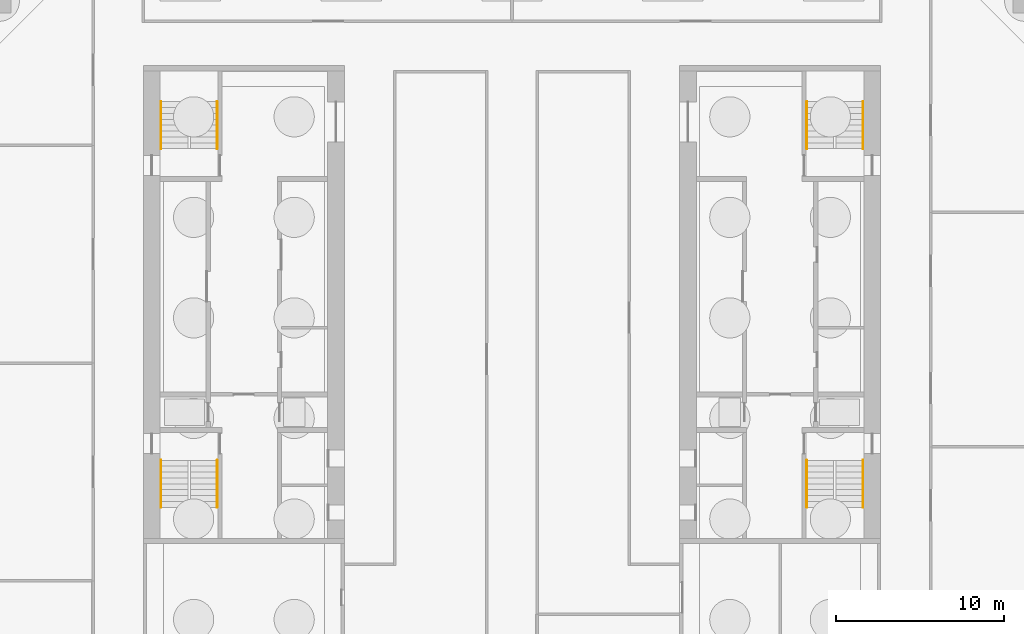
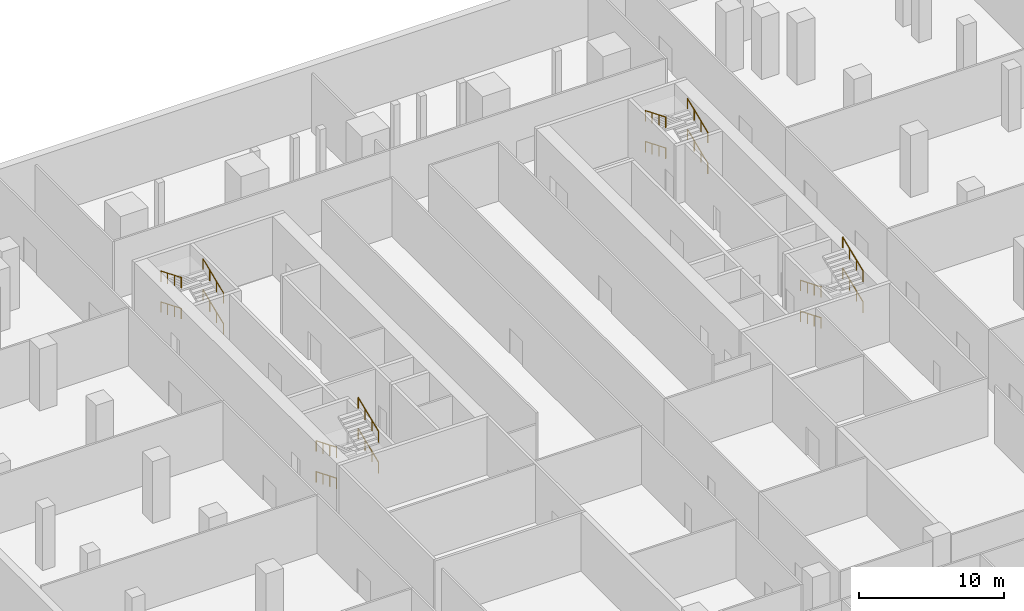
# One storey, part 13 of 14: 16 railings.
"""IFC4 building model written with IfcOpenShell, lengths in metres."""

from ifc_helpers import new_model, si_unit, direction, frame, origin, origin_2d, place, context, subcontext, project, spatial, circle, extrude, material, type_object, element, save


model = new_model("IFC4")

# Units and contexts
model_context = context("Model", 3, precision=1e-05, world=origin(), true_north=direction((0.0, 1.0)))
body_context = subcontext(model_context, "Body", "Model", "MODEL_VIEW")
ifc_project = project(units=[si_unit("LENGTHUNIT", "METRE"), si_unit("AREAUNIT", "SQUARE_METRE"), si_unit("VOLUMEUNIT", "CUBIC_METRE"), si_unit("PLANEANGLEUNIT", "RADIAN"), si_unit("MASSUNIT", "GRAM", prefix="KILO")], contexts=[model_context])

# Site, building, storey
site_placement = place(None, origin())
site = spatial("IfcSite", under=ifc_project, at=site_placement, CompositionType="ELEMENT")
building_placement = place(site_placement, origin())
building = spatial("IfcBuilding", under=site, at=building_placement, Name="Ogive Exchange Tower", CompositionType="ELEMENT")
storey_placement = place(building_placement, frame((0.0, 0.0, -10.39990234375)))
storey = spatial("IfcBuildingStorey", under=building, at=storey_placement, Name="B2", CompositionType="ELEMENT", Elevation=-10.39990234375)

# Railings
ifc_material = material(Name="Stainless steel", Category="steel")
railing_type = type_object("IfcRailingType", Name="Stair handrail 900", PredefinedType="HANDRAIL", material=ifc_material)
railing_1_placement = place(storey_placement, frame((-20.949951171875, 2.199951171875, 0.144287109375)))
element("IfcRailing", 1, at=railing_1_placement, inside=storey, type_object=railing_type, Name="B2 ST1 stair handrail 1", PredefinedType="HANDRAIL", context=body_context, shape_type="SweptSolid", body=[
    extrude(circle(Radius=0.02392578125, at=origin_2d()), frame((0.0, 0.0, 0.8759765625), z_axis=(0.0, -0.924754679997, 0.380563768405), x_axis=(1.0, 0.0, 0.0)), (0.0, 0.0, 1.0), 3.036376953125),
    extrude(circle(Radius=0.02099609375, at=origin_2d()), origin(), (0.0, 0.0, 1.0), 0.851806640625),
    extrude(circle(Radius=0.02099609375, at=origin_2d()), frame((0.0, -0.93603515625, 0.38525390625)), (0.0, 0.0, 1.0), 0.851806640625),
    extrude(circle(Radius=0.02099609375, at=origin_2d()), frame((0.0, -1.871826171875, 0.770263671875)), (0.0, 0.0, 1.0), 0.851806640625),
    extrude(circle(Radius=0.02099609375, at=origin_2d()), frame((0.0, -2.807861328125, 1.155517578125)), (0.0, 0.0, 1.0), 0.851806640625),
])
railing_2_placement = place(storey_placement, frame((-17.60009765625, -0.60791015625, 1.4443359375)))
element("IfcRailing", 2, at=railing_2_placement, inside=storey, type_object=railing_type, Name="B2 ST1 stair handrail 2", PredefinedType="HANDRAIL", context=body_context, shape_type="SweptSolid", body=[
    extrude(circle(Radius=0.02392578125, at=origin_2d()), frame((0.0, 0.0, 0.8759765625), z_axis=(0.0, 0.924754679997, 0.380563768405), x_axis=(-1.0, 0.0, 0.0)), (0.0, 0.0, 1.0), 3.036376953125),
    extrude(circle(Radius=0.02099609375, at=origin_2d()), origin(), (0.0, 0.0, 1.0), 0.851806640625),
    extrude(circle(Radius=0.02099609375, at=origin_2d()), frame((0.0, 0.93603515625, 0.38525390625)), (0.0, 0.0, 1.0), 0.851806640625),
    extrude(circle(Radius=0.02099609375, at=origin_2d()), frame((0.0, 1.871826171875, 0.770263671875)), (0.0, 0.0, 1.0), 0.851806640625),
    extrude(circle(Radius=0.02099609375, at=origin_2d()), frame((0.0, 2.807861328125, 1.155517578125)), (0.0, 0.0, 1.0), 0.851806640625),
])
railing_3_placement = place(storey_placement, frame((-20.949951171875, 2.199951171875, 2.744384765625)))
element("IfcRailing", 3, at=railing_3_placement, inside=storey, type_object=railing_type, Name="B2 ST1 stair handrail 3", PredefinedType="HANDRAIL", context=body_context, shape_type="SweptSolid", body=[
    extrude(circle(Radius=0.02392578125, at=origin_2d()), frame((0.0, 0.0, 0.8759765625), z_axis=(0.0, -0.924754679997, 0.380563768405), x_axis=(1.0, 0.0, 0.0)), (0.0, 0.0, 1.0), 3.036376953125),
    extrude(circle(Radius=0.02099609375, at=origin_2d()), origin(), (0.0, 0.0, 1.0), 0.851806640625),
    extrude(circle(Radius=0.02099609375, at=origin_2d()), frame((0.0, -0.93603515625, 0.38525390625)), (0.0, 0.0, 1.0), 0.851806640625),
    extrude(circle(Radius=0.02099609375, at=origin_2d()), frame((0.0, -1.871826171875, 0.770263671875)), (0.0, 0.0, 1.0), 0.851806640625),
    extrude(circle(Radius=0.02099609375, at=origin_2d()), frame((0.0, -2.807861328125, 1.155517578125)), (0.0, 0.0, 1.0), 0.851806640625),
])
for number, where, name in (
    (4, (-17.60009765625, -0.60791015625, 4.04443359375), "B2 ST1 stair handrail 4"),
    (5, (-17.60009765625, 20.800048828125, 0.144287109375), "B2 ST2 stair handrail 1"),
):
    element("IfcRailing", number, at=place(storey_placement, frame(where)), inside=storey, type_object=railing_type, Name=name, PredefinedType="HANDRAIL", context=body_context, shape_type="SweptSolid", body=[
        extrude(circle(Radius=0.02392578125, at=origin_2d()), frame((0.0, 0.0, 0.8759765625), z_axis=(0.0, 0.924754679997, 0.380563768405), x_axis=(-1.0, 0.0, 0.0)), (0.0, 0.0, 1.0), 3.036376953125),
        extrude(circle(Radius=0.02099609375, at=origin_2d()), origin(), (0.0, 0.0, 1.0), 0.851806640625),
        extrude(circle(Radius=0.02099609375, at=origin_2d()), frame((0.0, 0.93603515625, 0.38525390625)), (0.0, 0.0, 1.0), 0.851806640625),
        extrude(circle(Radius=0.02099609375, at=origin_2d()), frame((0.0, 1.871826171875, 0.770263671875)), (0.0, 0.0, 1.0), 0.851806640625),
        extrude(circle(Radius=0.02099609375, at=origin_2d()), frame((0.0, 2.807861328125, 1.155517578125)), (0.0, 0.0, 1.0), 0.851806640625),
    ])
railing_4_placement = place(storey_placement, frame((-20.949951171875, 23.60791015625, 1.4443359375)))
element("IfcRailing", 6, at=railing_4_placement, inside=storey, type_object=railing_type, Name="B2 ST2 stair handrail 2", PredefinedType="HANDRAIL", context=body_context, shape_type="SweptSolid", body=[
    extrude(circle(Radius=0.02392578125, at=origin_2d()), frame((0.0, 0.0, 0.8759765625), z_axis=(0.0, -0.924754679997, 0.380563768405), x_axis=(1.0, 0.0, 0.0)), (0.0, 0.0, 1.0), 3.036376953125),
    extrude(circle(Radius=0.02099609375, at=origin_2d()), origin(), (0.0, 0.0, 1.0), 0.851806640625),
    extrude(circle(Radius=0.02099609375, at=origin_2d()), frame((0.0, -0.93603515625, 0.38525390625)), (0.0, 0.0, 1.0), 0.851806640625),
    extrude(circle(Radius=0.02099609375, at=origin_2d()), frame((0.0, -1.871826171875, 0.770263671875)), (0.0, 0.0, 1.0), 0.851806640625),
    extrude(circle(Radius=0.02099609375, at=origin_2d()), frame((0.0, -2.807861328125, 1.155517578125)), (0.0, 0.0, 1.0), 0.851806640625),
])
railing_5_placement = place(storey_placement, frame((-17.60009765625, 20.800048828125, 2.744384765625)))
element("IfcRailing", 7, at=railing_5_placement, inside=storey, type_object=railing_type, Name="B2 ST2 stair handrail 3", PredefinedType="HANDRAIL", context=body_context, shape_type="SweptSolid", body=[
    extrude(circle(Radius=0.02392578125, at=origin_2d()), frame((0.0, 0.0, 0.8759765625), z_axis=(0.0, 0.924754679997, 0.380563768405), x_axis=(-1.0, 0.0, 0.0)), (0.0, 0.0, 1.0), 3.036376953125),
    extrude(circle(Radius=0.02099609375, at=origin_2d()), origin(), (0.0, 0.0, 1.0), 0.851806640625),
    extrude(circle(Radius=0.02099609375, at=origin_2d()), frame((0.0, 0.93603515625, 0.38525390625)), (0.0, 0.0, 1.0), 0.851806640625),
    extrude(circle(Radius=0.02099609375, at=origin_2d()), frame((0.0, 1.871826171875, 0.770263671875)), (0.0, 0.0, 1.0), 0.851806640625),
    extrude(circle(Radius=0.02099609375, at=origin_2d()), frame((0.0, 2.807861328125, 1.155517578125)), (0.0, 0.0, 1.0), 0.851806640625),
])
for number, where, name in (
    (8, (-20.949951171875, 23.60791015625, 4.04443359375), "B2 ST2 stair handrail 4"),
    (9, (17.60009765625, 2.199951171875, 0.144287109375), "B2 ST3 stair handrail 1"),
):
    element("IfcRailing", number, at=place(storey_placement, frame(where)), inside=storey, type_object=railing_type, Name=name, PredefinedType="HANDRAIL", context=body_context, shape_type="SweptSolid", body=[
        extrude(circle(Radius=0.02392578125, at=origin_2d()), frame((0.0, 0.0, 0.8759765625), z_axis=(0.0, -0.924754679997, 0.380563768405), x_axis=(1.0, 0.0, 0.0)), (0.0, 0.0, 1.0), 3.036376953125),
        extrude(circle(Radius=0.02099609375, at=origin_2d()), origin(), (0.0, 0.0, 1.0), 0.851806640625),
        extrude(circle(Radius=0.02099609375, at=origin_2d()), frame((0.0, -0.93603515625, 0.38525390625)), (0.0, 0.0, 1.0), 0.851806640625),
        extrude(circle(Radius=0.02099609375, at=origin_2d()), frame((0.0, -1.871826171875, 0.770263671875)), (0.0, 0.0, 1.0), 0.851806640625),
        extrude(circle(Radius=0.02099609375, at=origin_2d()), frame((0.0, -2.807861328125, 1.155517578125)), (0.0, 0.0, 1.0), 0.851806640625),
    ])
railing_6_placement = place(storey_placement, frame((20.949951171875, -0.60791015625, 1.4443359375)))
element("IfcRailing", 10, at=railing_6_placement, inside=storey, type_object=railing_type, Name="B2 ST3 stair handrail 2", PredefinedType="HANDRAIL", context=body_context, shape_type="SweptSolid", body=[
    extrude(circle(Radius=0.02392578125, at=origin_2d()), frame((0.0, 0.0, 0.8759765625), z_axis=(0.0, 0.924754679997, 0.380563768405), x_axis=(-1.0, 0.0, 0.0)), (0.0, 0.0, 1.0), 3.036376953125),
    extrude(circle(Radius=0.02099609375, at=origin_2d()), origin(), (0.0, 0.0, 1.0), 0.851806640625),
    extrude(circle(Radius=0.02099609375, at=origin_2d()), frame((0.0, 0.93603515625, 0.38525390625)), (0.0, 0.0, 1.0), 0.851806640625),
    extrude(circle(Radius=0.02099609375, at=origin_2d()), frame((0.0, 1.871826171875, 0.770263671875)), (0.0, 0.0, 1.0), 0.851806640625),
    extrude(circle(Radius=0.02099609375, at=origin_2d()), frame((0.0, 2.807861328125, 1.155517578125)), (0.0, 0.0, 1.0), 0.851806640625),
])
railing_7_placement = place(storey_placement, frame((17.60009765625, 2.199951171875, 2.744384765625)))
element("IfcRailing", 11, at=railing_7_placement, inside=storey, type_object=railing_type, Name="B2 ST3 stair handrail 3", PredefinedType="HANDRAIL", context=body_context, shape_type="SweptSolid", body=[
    extrude(circle(Radius=0.02392578125, at=origin_2d()), frame((0.0, 0.0, 0.8759765625), z_axis=(0.0, -0.924754679997, 0.380563768405), x_axis=(1.0, 0.0, 0.0)), (0.0, 0.0, 1.0), 3.036376953125),
    extrude(circle(Radius=0.02099609375, at=origin_2d()), origin(), (0.0, 0.0, 1.0), 0.851806640625),
    extrude(circle(Radius=0.02099609375, at=origin_2d()), frame((0.0, -0.93603515625, 0.38525390625)), (0.0, 0.0, 1.0), 0.851806640625),
    extrude(circle(Radius=0.02099609375, at=origin_2d()), frame((0.0, -1.871826171875, 0.770263671875)), (0.0, 0.0, 1.0), 0.851806640625),
    extrude(circle(Radius=0.02099609375, at=origin_2d()), frame((0.0, -2.807861328125, 1.155517578125)), (0.0, 0.0, 1.0), 0.851806640625),
])
for number, where, name in (
    (12, (20.949951171875, -0.60791015625, 4.04443359375), "B2 ST3 stair handrail 4"),
    (13, (20.949951171875, 20.800048828125, 0.144287109375), "B2 ST4 stair handrail 1"),
):
    element("IfcRailing", number, at=place(storey_placement, frame(where)), inside=storey, type_object=railing_type, Name=name, PredefinedType="HANDRAIL", context=body_context, shape_type="SweptSolid", body=[
        extrude(circle(Radius=0.02392578125, at=origin_2d()), frame((0.0, 0.0, 0.8759765625), z_axis=(0.0, 0.924754679997, 0.380563768405), x_axis=(-1.0, 0.0, 0.0)), (0.0, 0.0, 1.0), 3.036376953125),
        extrude(circle(Radius=0.02099609375, at=origin_2d()), origin(), (0.0, 0.0, 1.0), 0.851806640625),
        extrude(circle(Radius=0.02099609375, at=origin_2d()), frame((0.0, 0.93603515625, 0.38525390625)), (0.0, 0.0, 1.0), 0.851806640625),
        extrude(circle(Radius=0.02099609375, at=origin_2d()), frame((0.0, 1.871826171875, 0.770263671875)), (0.0, 0.0, 1.0), 0.851806640625),
        extrude(circle(Radius=0.02099609375, at=origin_2d()), frame((0.0, 2.807861328125, 1.155517578125)), (0.0, 0.0, 1.0), 0.851806640625),
    ])
railing_8_placement = place(storey_placement, frame((17.60009765625, 23.60791015625, 1.4443359375)))
element("IfcRailing", 14, at=railing_8_placement, inside=storey, type_object=railing_type, Name="B2 ST4 stair handrail 2", PredefinedType="HANDRAIL", context=body_context, shape_type="SweptSolid", body=[
    extrude(circle(Radius=0.02392578125, at=origin_2d()), frame((0.0, 0.0, 0.8759765625), z_axis=(0.0, -0.924754679997, 0.380563768405), x_axis=(1.0, 0.0, 0.0)), (0.0, 0.0, 1.0), 3.036376953125),
    extrude(circle(Radius=0.02099609375, at=origin_2d()), origin(), (0.0, 0.0, 1.0), 0.851806640625),
    extrude(circle(Radius=0.02099609375, at=origin_2d()), frame((0.0, -0.93603515625, 0.38525390625)), (0.0, 0.0, 1.0), 0.851806640625),
    extrude(circle(Radius=0.02099609375, at=origin_2d()), frame((0.0, -1.871826171875, 0.770263671875)), (0.0, 0.0, 1.0), 0.851806640625),
    extrude(circle(Radius=0.02099609375, at=origin_2d()), frame((0.0, -2.807861328125, 1.155517578125)), (0.0, 0.0, 1.0), 0.851806640625),
])
railing_9_placement = place(storey_placement, frame((20.949951171875, 20.800048828125, 2.744384765625)))
element("IfcRailing", 15, at=railing_9_placement, inside=storey, type_object=railing_type, Name="B2 ST4 stair handrail 3", PredefinedType="HANDRAIL", context=body_context, shape_type="SweptSolid", body=[
    extrude(circle(Radius=0.02392578125, at=origin_2d()), frame((0.0, 0.0, 0.8759765625), z_axis=(0.0, 0.924754679997, 0.380563768405), x_axis=(-1.0, 0.0, 0.0)), (0.0, 0.0, 1.0), 3.036376953125),
    extrude(circle(Radius=0.02099609375, at=origin_2d()), origin(), (0.0, 0.0, 1.0), 0.851806640625),
    extrude(circle(Radius=0.02099609375, at=origin_2d()), frame((0.0, 0.93603515625, 0.38525390625)), (0.0, 0.0, 1.0), 0.851806640625),
    extrude(circle(Radius=0.02099609375, at=origin_2d()), frame((0.0, 1.871826171875, 0.770263671875)), (0.0, 0.0, 1.0), 0.851806640625),
    extrude(circle(Radius=0.02099609375, at=origin_2d()), frame((0.0, 2.807861328125, 1.155517578125)), (0.0, 0.0, 1.0), 0.851806640625),
])
railing_10_placement = place(storey_placement, frame((17.60009765625, 23.60791015625, 4.04443359375)))
element("IfcRailing", 16, at=railing_10_placement, inside=storey, type_object=railing_type, Name="B2 ST4 stair handrail 4", PredefinedType="HANDRAIL", context=body_context, shape_type="SweptSolid", body=[
    extrude(circle(Radius=0.02392578125, at=origin_2d()), frame((0.0, 0.0, 0.8759765625), z_axis=(0.0, -0.924754679997, 0.380563768405), x_axis=(1.0, 0.0, 0.0)), (0.0, 0.0, 1.0), 3.036376953125),
    extrude(circle(Radius=0.02099609375, at=origin_2d()), origin(), (0.0, 0.0, 1.0), 0.851806640625),
    extrude(circle(Radius=0.02099609375, at=origin_2d()), frame((0.0, -0.93603515625, 0.38525390625)), (0.0, 0.0, 1.0), 0.851806640625),
    extrude(circle(Radius=0.02099609375, at=origin_2d()), frame((0.0, -1.871826171875, 0.770263671875)), (0.0, 0.0, 1.0), 0.851806640625),
    extrude(circle(Radius=0.02099609375, at=origin_2d()), frame((0.0, -2.807861328125, 1.155517578125)), (0.0, 0.0, 1.0), 0.851806640625),
])

save(model, "model.ifc")
